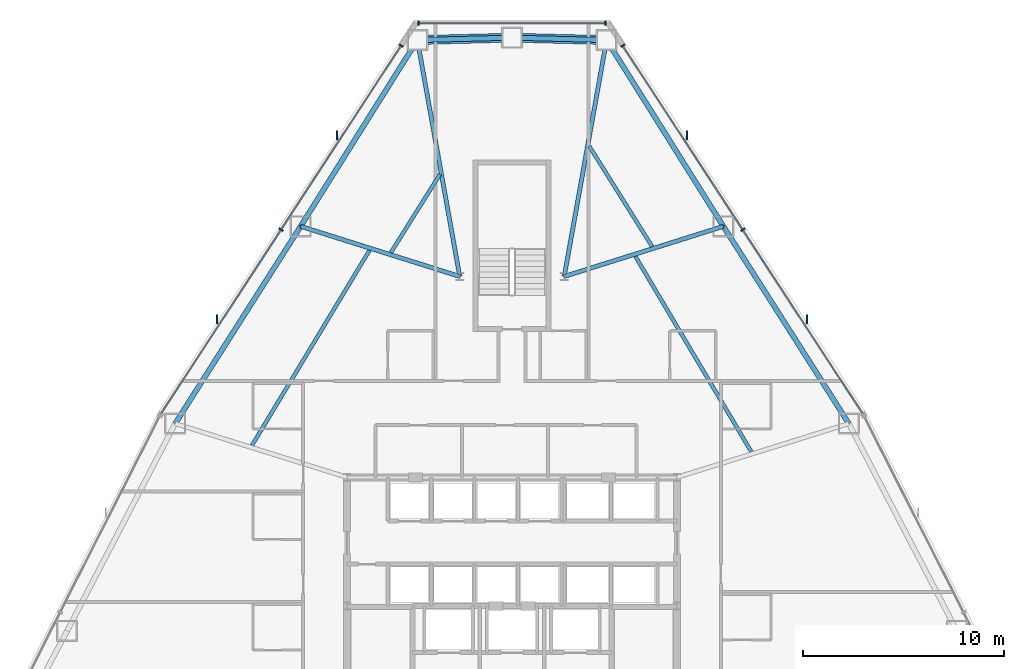
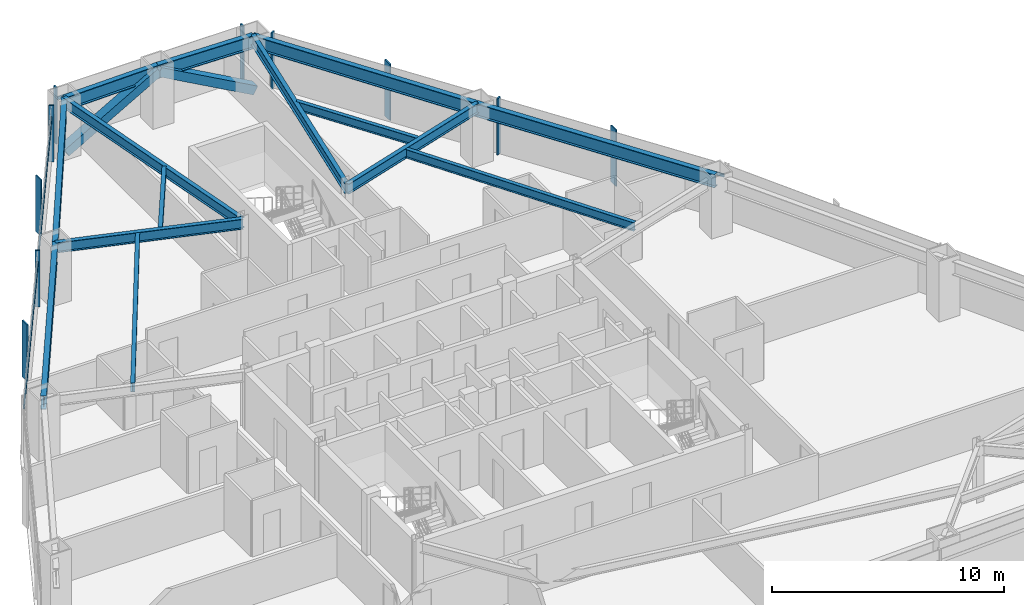
# One storey, part 7 of 12: 15 members, 14 beams, 3 elements without a shape of their own.
"""IFC4 building model written with IfcOpenShell, lengths in metres."""

from ifc_helpers import new_model, si_unit, direction, frame, origin, origin_2d, place, context, subcontext, project, spatial, rectangle, hollow_rectangle, i_section, extrude, source, transform, mapped, material, layer, layer_set, material_profile, profile_set, type_object, type_shapes, element, aggregate, save


model = new_model("IFC4")

# Units and contexts
model_context = context("Model", 3, precision=1e-05, world=origin(), true_north=direction((0.0, 1.0)))
body_context = subcontext(model_context, "Body", "Model", "MODEL_VIEW")
ifc_project = project(units=[si_unit("LENGTHUNIT", "METRE"), si_unit("AREAUNIT", "SQUARE_METRE"), si_unit("VOLUMEUNIT", "CUBIC_METRE"), si_unit("PLANEANGLEUNIT", "RADIAN"), si_unit("MASSUNIT", "GRAM", prefix="KILO")], contexts=[model_context])

# Site, building, storey
site_placement = place(None, origin())
site = spatial("IfcSite", under=ifc_project, at=site_placement, CompositionType="ELEMENT")
building_placement = place(site_placement, origin())
building = spatial("IfcBuilding", under=site, at=building_placement, Name="Varakhsha Concourse Tower", CompositionType="ELEMENT")
storey_placement = place(building_placement, frame((0.0, 0.0, 73.39990234375)))
storey = spatial("IfcBuildingStorey", under=building, at=storey_placement, Name="L20", CompositionType="ELEMENT", Elevation=73.39990234375)

# Beams
ifc_material_1 = material(Name="Structural Steel ASTM A992 Grade 50", Category="steel")
ifc_material_profile_1 = material_profile(ifc_material_1, i_section(OverallWidth=0.19091796875, OverallDepth=0.45703125, WebThickness=0.009033203125, FlangeThickness=0.013916015625, at=origin_2d()), Name="W18X50")
ifc_profile_set_1 = profile_set([ifc_material_profile_1], Name="Structural Steel ASTM A992 Grade 50")
beam_type_1 = type_object("IfcBeamType", Name="BM-JST-W18X50", PredefinedType="JOIST", material=ifc_profile_set_1)
beam_1_placement = place(storey_placement, frame((36.4140625, 46.28271484375, 2.74169921875), z_axis=(-0.531044651277, -0.847343837147, 0.0), x_axis=(0.847343837147, -0.531044651277, 0.0)))
element("IfcBeam", 1, at=beam_1_placement, inside=storey, type_object=beam_type_1, Name="BM-TJST-L20-03", PredefinedType="JOIST", context=body_context, shape_type="SweptSolid", body=[
    extrude(i_section(OverallWidth=0.19091796875, OverallDepth=0.45703125, WebThickness=0.009033203125, FlangeThickness=0.013916015625, at=origin_2d()), origin(), (0.0, 0.0, 1.0), 4.59423828125),
])
beam_2_placement = place(storey_placement, frame((32.908935546875, 42.501708984375, 2.74169921875), z_axis=(-0.515971307479, -0.856605866113, 0.0), x_axis=(0.856605866113, -0.515971307479, 0.0)))
element("IfcBeam", 2, at=beam_2_placement, inside=storey, type_object=beam_type_1, Name="BM-TJST-L20-04", PredefinedType="JOIST", context=body_context, shape_type="SweptSolid", body=[
    extrude(i_section(OverallWidth=0.19091796875, OverallDepth=0.45703125, WebThickness=0.009033203125, FlangeThickness=0.013916015625, at=origin_2d()), origin(), (0.0, 0.0, 1.0), 11.332763671875),
])
beam_3_placement = place(storey_placement, frame((51.91162109375, 32.472900390625, 2.74169921875), z_axis=(-0.510195148904, 0.860058666624, 0.0), x_axis=(-0.860058666624, -0.510195148904, 0.0)))
element("IfcBeam", 3, at=beam_3_placement, inside=storey, type_object=beam_type_1, Name="BM-TJST-L20-17", PredefinedType="JOIST", context=body_context, shape_type="SweptSolid", body=[
    extrude(i_section(OverallWidth=0.19091796875, OverallDepth=0.45703125, WebThickness=0.009033203125, FlangeThickness=0.013916015625, at=origin_2d()), origin(), (0.0, 0.0, 1.0), 11.312255859375),
])
beam_4_placement = place(storey_placement, frame((46.975830078125, 42.68896484375, 2.74169921875), z_axis=(-0.531027578504, 0.847354536701, 0.0), x_axis=(-0.847354536701, -0.531027578504, 0.0)))
element("IfcBeam", 4, at=beam_4_placement, inside=storey, type_object=beam_type_1, Name="BM-TJST-L20-18", PredefinedType="JOIST", context=body_context, shape_type="SweptSolid", body=[
    extrude(i_section(OverallWidth=0.19091796875, OverallDepth=0.45703125, WebThickness=0.009033203125, FlangeThickness=0.013916015625, at=origin_2d()), origin(), (0.0, 0.0, 1.0), 5.9072265625),
])
ifc_material_profile_2 = material_profile(ifc_material_1, i_section(OverallWidth=0.2109375, OverallDepth=0.5390625, WebThickness=0.011962890625, FlangeThickness=0.01904296875, at=origin_2d()), Name="W21X73")
ifc_profile_set_2 = profile_set([ifc_material_profile_2], Name="Structural Steel ASTM A992 Grade 50")
beam_type_2 = type_object("IfcBeamType", Name="BM-RAD-W21X73", PredefinedType="BEAM", material=ifc_profile_set_2)
for number, where, z_axis, x_axis, name in (
    (5, (42.60009765625, 41.199951171875, 2.70068359375), (0.176378864409, 0.9843223538, 0.0), (-0.9843223538, 0.176378864409, 0.0), "L20 Radial Floor Girder 01"),
    (6, (37.39990234375, 41.199951171875, 2.70068359375), (-0.176378864409, 0.9843223538, 0.0), (-0.9843223538, -0.176378864409, 0.0), "L20 Radial Floor Girder 03"),
):
    element("IfcBeam", number, at=place(storey_placement, frame(where, z_axis=z_axis, x_axis=x_axis)), inside=storey, type_object=beam_type_2, Name=name, PredefinedType="BEAM", context=body_context, shape_type="SweptSolid", body=[
        extrude(i_section(OverallWidth=0.2109375, OverallDepth=0.5390625, WebThickness=0.011962890625, FlangeThickness=0.01904296875, at=origin_2d()), origin(), (0.0, 0.0, 1.0), 11.950927734375),
    ])
for number, where, z_axis, x_axis, name in (
    (7, (37.39990234375, 41.199951171875, 2.70068359375), (-0.95386094986, 0.300248710792, 0.0), (-0.300248710792, -0.95386094986, 0.0), "L20 Radial Floor Girder 04"),
    (8, (42.60009765625, 41.199951171875, 2.70068359375), (0.95386094986, 0.300248710792, 0.0), (-0.300248710792, 0.95386094986, 0.0), "L20 Radial Floor Girder 18"),
):
    element("IfcBeam", number, at=place(storey_placement, frame(where, z_axis=z_axis, x_axis=x_axis)), inside=storey, type_object=beam_type_2, Name=name, PredefinedType="BEAM", context=body_context, shape_type="SweptSolid", body=[
        extrude(i_section(OverallWidth=0.2109375, OverallDepth=0.5390625, WebThickness=0.011962890625, FlangeThickness=0.01904296875, at=origin_2d()), origin(), (0.0, 0.0, 1.0), 8.30126953125),
    ])
ifc_material_profile_3 = material_profile(ifc_material_1, i_section(OverallWidth=0.25390625, OverallDepth=0.701904296875, WebThickness=0.014892578125, FlangeThickness=0.028076171875, at=origin_2d()), Name="W27X129")
ifc_profile_set_3 = profile_set([ifc_material_profile_3], Name="Structural Steel ASTM A992 Grade 50")
beam_type_3 = type_object("IfcBeamType", Name="BM-SPAN-W27X129", PredefinedType="SPANDREL", material=ifc_profile_set_3)
for number, where, z_axis, x_axis, name in (
    (9, (44.7080078125, 52.963623046875, 2.619140625), (-0.999681267751, 0.025246047365, 0.0), (-0.025246047365, -0.999681267751, 0.0), "BM-SPAN-L20-01"),
    (10, (40.0, 53.08251953125, 2.619140625), (-0.999681267751, -0.025246047365, 0.0), (0.025246047365, -0.999681267751, 0.0), "BM-SPAN-L20-02"),
):
    element("IfcBeam", number, at=place(storey_placement, frame(where, z_axis=z_axis, x_axis=x_axis)), inside=storey, type_object=beam_type_3, Name=name, PredefinedType="SPANDREL", context=body_context, shape_type="SweptSolid", body=[
        extrude(i_section(OverallWidth=0.25390625, OverallDepth=0.701904296875, WebThickness=0.014892578125, FlangeThickness=0.028076171875, at=origin_2d()), origin(), (0.0, 0.0, 1.0), 4.70947265625),
    ])
beam_5_placement = place(storey_placement, frame((35.2919921875, 52.963623046875, 2.619140625), z_axis=(-0.531035487891, -0.847349579926, 0.0), x_axis=(0.847349579926, -0.531035487891, 0.0)))
element("IfcBeam", 11, at=beam_5_placement, inside=storey, type_object=beam_type_3, Name="BM-SPAN-L20-03", PredefinedType="SPANDREL", context=body_context, shape_type="SweptSolid", body=[
    extrude(i_section(OverallWidth=0.25390625, OverallDepth=0.701904296875, WebThickness=0.014892578125, FlangeThickness=0.028076171875, at=origin_2d()), origin(), (0.0, 0.0, 1.0), 10.94140625),
])
for number, where, z_axis, x_axis, name in (
    (12, (29.481689453125, 43.6923828125, 2.619140625), (-0.536827959969, -0.84369173363, 0.0), (0.84369173363, -0.536827959969, 0.0), "BM-SPAN-L20-04"),
    (13, (56.762939453125, 33.878173828125, 2.619140625), (-0.536827959969, 0.84369173363, 0.0), (-0.84369173363, -0.536827959969, 0.0), "BM-SPAN-L20-17"),
):
    element("IfcBeam", number, at=place(storey_placement, frame(where, z_axis=z_axis, x_axis=x_axis)), inside=storey, type_object=beam_type_3, Name=name, PredefinedType="SPANDREL", context=body_context, shape_type="SweptSolid", body=[
        extrude(i_section(OverallWidth=0.25390625, OverallDepth=0.701904296875, WebThickness=0.014892578125, FlangeThickness=0.028076171875, at=origin_2d()), origin(), (0.0, 0.0, 1.0), 11.632568359375),
    ])
beam_6_placement = place(storey_placement, frame((50.518310546875, 43.6923828125, 2.619140625), z_axis=(-0.531035487891, 0.847349579926, 0.0), x_axis=(-0.847349579926, -0.531035487891, 0.0)))
element("IfcBeam", 14, at=beam_6_placement, inside=storey, type_object=beam_type_3, Name="BM-SPAN-L20-18", PredefinedType="SPANDREL", context=body_context, shape_type="SweptSolid", body=[
    extrude(i_section(OverallWidth=0.25390625, OverallDepth=0.701904296875, WebThickness=0.014892578125, FlangeThickness=0.028076171875, at=origin_2d()), origin(), (0.0, 0.0, 1.0), 10.94140625),
])

# Members
ifc_material_2 = material(Name="Structural Steel ASTM A500 Grade C", Category="steel")
ifc_material_profile_4 = material_profile(ifc_material_2, hollow_rectangle(XDim=0.449951171875, YDim=0.449951171875, WallThickness=0.01904296875, at=origin_2d()), Name="HSS 450x450x19")
ifc_profile_set_4 = profile_set([ifc_material_profile_4], Name="Structural Steel ASTM A500 Grade C")
member_type_1 = type_object("IfcMemberType", Name="MB-TUBE-HSS450", PredefinedType="BRACE", material=ifc_profile_set_4)
shared_shape_1 = source(origin(), body_context, "Body", "SweptSolid", [
    extrude(hollow_rectangle(XDim=0.449951171875, YDim=0.449951171875, WallThickness=0.01904296875, at=origin_2d()), origin(), (0.0, 0.0, 1.0), 5.35546875),
])
type_shapes(member_type_1, [shared_shape_1])
for number, where, z_axis, x_axis, name in (
    (15, (44.7080078125, 52.963623046875, 0.1201171875), (-0.879084800486, 0.022200492524, 0.476148140483), (-0.025246047365, -0.999681267751, 0.0), "L20 Wind-Corner Tube Brace B01"),
    (16, (35.2919921875, 52.963623046875, 0.1201171875), (0.879084800486, 0.022200492524, 0.476148140483), (-0.025246047365, 0.999681267751, 0.0), "L20 Wind-Corner Tube Brace B02"),
):
    element("IfcMember", number, at=place(storey_placement, frame(where, z_axis=z_axis, x_axis=x_axis)), inside=storey, type_object=member_type_1, Name=name, PredefinedType="BRACE", context=body_context, shape_type="MappedRepresentation", body=[
        mapped(shared_shape_1, transform((0.0, 0.0, 0.0), scale=1.0)),
    ])

# Curtain wall, members
ifc_material_3 = material(Name="Anodised Bronze Architectural Aluminium AA 6063-T6", Category="aluminium")
ifc_layer = layer(ifc_material_3, 0.199951171875, Name="CW-SYS-03")
ifc_layer_set = layer_set([ifc_layer], Name="Anodised Bronze Architectural Aluminium AA 6063-T6")
curtain_wall_type = type_object("IfcCurtainWallType", Name="CW-SYS-03", PredefinedType="NOTDEFINED", material=ifc_layer_set)
curtain_wall_1_placement = place(storey_placement, origin())
curtain_wall_1 = element("IfcCurtainWall", 17, at=curtain_wall_1_placement, inside=storey, type_object=curtain_wall_type, Name="L20 Chamfer Curtain Wall F1", PredefinedType="NOTDEFINED")
ifc_material_profile_5 = material_profile(ifc_material_3, rectangle(XDim=0.074951171875, YDim=0.219970703125, at=origin_2d()), Name="CWM-220X75")
ifc_profile_set_5 = profile_set([ifc_material_profile_5], Name="Anodised Bronze Architectural Aluminium AA 6063-T6")
member_type_2 = type_object("IfcMemberType", Name="CWM-220X75", PredefinedType="MULLION", material=ifc_profile_set_5)
shared_shape_2 = source(origin(), body_context, "Body", "SweptSolid", [
    extrude(rectangle(XDim=0.074951171875, YDim=0.219970703125, at=origin_2d()), origin(), (0.0, 0.0, 1.0), 2.97021484375),
])
type_shapes(member_type_2, [shared_shape_2])
member_1_placement = place(storey_placement, frame((35.348388671875, 53.802490234375, 0.0), z_axis=(0.0, 0.0, 1.0), x_axis=(1.0, 0.0, 0.0)))
member_1 = element("IfcMember", 18, at=member_1_placement, type_object=member_type_2, Name="CW-L20-F1 Mullion 00", PredefinedType="MULLION", context=body_context, shape_type="MappedRepresentation", body=[
    mapped(shared_shape_2, transform((0.0, 0.0, 0.0), scale=1.0)),
])
member_2_placement = place(storey_placement, frame((44.651611328125, 53.802490234375, 0.0), z_axis=(0.0, 0.0, 1.0), x_axis=(1.0, 0.0, 0.0)))
member_2 = element("IfcMember", 19, at=member_2_placement, type_object=member_type_2, Name="CW-L20-F1 Mullion 01", PredefinedType="MULLION", context=body_context, shape_type="MappedRepresentation", body=[
    mapped(shared_shape_2, transform((0.0, 0.0, 0.0), scale=1.0)),
])

curtain_wall_2_placement = place(storey_placement, origin())
curtain_wall_2 = element("IfcCurtainWall", 20, at=curtain_wall_2_placement, inside=storey, type_object=curtain_wall_type, Name="L20 Crystal Curtain Wall F2", PredefinedType="NOTDEFINED")
member_3_placement = place(storey_placement, frame((28.512451171875, 43.524658203125, 0.0), z_axis=(0.0, 0.0, 1.0), x_axis=(0.546249624122, 0.837622437705, 0.0)))
member_3 = element("IfcMember", 21, at=member_3_placement, type_object=member_type_2, Name="CW-L20-F2 Mullion 01", PredefinedType="MULLION", context=body_context, shape_type="MappedRepresentation", body=[
    mapped(shared_shape_2, transform((0.0, 0.0, 0.0), scale=1.0)),
])
member_4_placement = place(storey_placement, frame((34.48681640625, 52.685546875, 0.0), z_axis=(0.0, 0.0, 1.0), x_axis=(0.546249624122, 0.837622437705, 0.0)))
member_4 = element("IfcMember", 22, at=member_4_placement, type_object=member_type_2, Name="CW-L20-F2 Mullion 02", PredefinedType="MULLION", context=body_context, shape_type="MappedRepresentation", body=[
    mapped(shared_shape_2, transform((0.0, 0.0, 0.0), scale=1.0)),
])

curtain_wall_3_placement = place(storey_placement, origin())
curtain_wall_3 = element("IfcCurtainWall", 23, at=curtain_wall_3_placement, inside=storey, type_object=curtain_wall_type, Name="L20 Crystal Curtain Wall F9", PredefinedType="NOTDEFINED")
member_5_placement = place(storey_placement, frame((45.51318359375, 52.685546875, 0.0), z_axis=(0.0, 0.0, 1.0), x_axis=(0.546249624122, -0.837622437705, 0.0)))
member_5 = element("IfcMember", 24, at=member_5_placement, type_object=member_type_2, Name="CW-L20-F9 Mullion 00", PredefinedType="MULLION", context=body_context, shape_type="MappedRepresentation", body=[
    mapped(shared_shape_2, transform((0.0, 0.0, 0.0), scale=1.0)),
])
member_6_placement = place(storey_placement, frame((51.4873046875, 43.524658203125, 0.0), z_axis=(0.0, 0.0, 1.0), x_axis=(0.546249624122, -0.837622437705, 0.0)))
member_6 = element("IfcMember", 25, at=member_6_placement, type_object=member_type_2, Name="CW-L20-F9 Mullion 01", PredefinedType="MULLION", context=body_context, shape_type="MappedRepresentation", body=[
    mapped(shared_shape_2, transform((0.0, 0.0, 0.0), scale=1.0)),
])

# Member
ifc_material_profile_6 = material_profile(ifc_material_3, rectangle(XDim=0.06494140625, YDim=0.159912109375, at=origin_2d()), Name="CWT-160X65")
ifc_profile_set_6 = profile_set([ifc_material_profile_6], Name="Anodised Bronze Architectural Aluminium AA 6063-T6")
member_type_3 = type_object("IfcMemberType", Name="CWT-160X65", PredefinedType="USERDEFINED", material=ifc_profile_set_6)
shared_shape_3 = source(origin(), body_context, "Body", "SweptSolid", [
    extrude(rectangle(XDim=0.06494140625, YDim=0.159912109375, at=origin_2d()), origin(), (0.0, 0.0, 1.0), 9.30322265625),
])
member_7_placement = place(storey_placement, frame((35.348388671875, 53.802490234375, 2.320068359375), z_axis=(1.0, 0.0, 0.0), x_axis=(0.0, 1.0, 0.0)))
member_7 = element("IfcMember", 26, at=member_7_placement, type_object=member_type_3, Name="CW-L20-F1 Transom 01", ObjectType="TRANSOM", PredefinedType="USERDEFINED", context=body_context, shape_type="MappedRepresentation", body=[
    mapped(shared_shape_3, transform((0.0, 0.0, 0.0), scale=1.0)),
])

aggregate(curtain_wall_1, [member_1, member_2, member_7])

shared_shape_4 = source(origin(), body_context, "Body", "SweptSolid", [
    extrude(rectangle(XDim=0.06494140625, YDim=0.159912109375, at=origin_2d()), origin(), (0.0, 0.0, 1.0), 21.87353515625),
])
type_shapes(member_type_3, [shared_shape_3, shared_shape_4])
member_8_placement = place(storey_placement, frame((22.538330078125, 34.36376953125, 2.320068359375), z_axis=(0.546251778443, 0.837621032775, 0.0), x_axis=(-0.837621032775, 0.546251778443, 0.0)))
member_8 = element("IfcMember", 27, at=member_8_placement, type_object=member_type_3, Name="CW-L20-F2 Transom 01", ObjectType="TRANSOM", PredefinedType="USERDEFINED", context=body_context, shape_type="MappedRepresentation", body=[
    mapped(shared_shape_4, transform((0.0, 0.0, 0.0), scale=1.0)),
])

member_9_placement = place(storey_placement, frame((45.51318359375, 52.685546875, 2.320068359375), z_axis=(0.546251778443, -0.837621032775, 0.0), x_axis=(0.837621032775, 0.546251778443, 0.0)))
member_9 = element("IfcMember", 28, at=member_9_placement, type_object=member_type_3, Name="CW-L20-F9 Transom 01", ObjectType="TRANSOM", PredefinedType="USERDEFINED", context=body_context, shape_type="MappedRepresentation", body=[
    mapped(shared_shape_4, transform((0.0, 0.0, 0.0), scale=1.0)),
])

ifc_material_profile_7 = material_profile(ifc_material_3, rectangle(XDim=0.06494140625, YDim=0.449951171875, at=origin_2d()), Name="FIN-BRZ-450")
ifc_profile_set_7 = profile_set([ifc_material_profile_7], Name="Anodised Bronze Architectural Aluminium AA 6063-T6")
member_type_4 = type_object("IfcMemberType", Name="FIN-BRZ-450", PredefinedType="USERDEFINED", material=ifc_profile_set_7)
shared_shape_5 = source(origin(), body_context, "Body", "SweptSolid", [
    extrude(rectangle(XDim=0.06494140625, YDim=0.449951171875, at=origin_2d()), origin(), (0.0, 0.0, 1.0), 2.97021484375),
])
type_shapes(member_type_4, [shared_shape_5])
member_10_placement = place(storey_placement, frame((25.324462890625, 39.0751953125, 0.0), z_axis=(0.0, 0.0, 1.0), x_axis=(1.0, 0.0, 0.0)))
member_10 = element("IfcMember", 29, at=member_10_placement, type_object=member_type_4, Name="L20 Anodised Bronze Solar Fin F2-1", ObjectType="SOLAR FIN", PredefinedType="USERDEFINED", context=body_context, shape_type="MappedRepresentation", body=[
    mapped(shared_shape_5, transform((0.0, 0.0, 0.0), scale=1.0)),
])

member_11_placement = place(storey_placement, frame((31.298583984375, 48.236083984375, 0.0), z_axis=(0.0, 0.0, 1.0), x_axis=(1.0, 0.0, 0.0)))
member_11 = element("IfcMember", 30, at=member_11_placement, type_object=member_type_4, Name="L20 Anodised Bronze Solar Fin F2-2", ObjectType="SOLAR FIN", PredefinedType="USERDEFINED", context=body_context, shape_type="MappedRepresentation", body=[
    mapped(shared_shape_5, transform((0.0, 0.0, 0.0), scale=1.0)),
])

aggregate(curtain_wall_2, [member_3, member_4, member_8, member_10, member_11])

member_12_placement = place(storey_placement, frame((48.701416015625, 48.236083984375, 0.0), z_axis=(0.0, 0.0, 1.0), x_axis=(1.0, 0.0, 0.0)))
member_12 = element("IfcMember", 31, at=member_12_placement, type_object=member_type_4, Name="L20 Anodised Bronze Solar Fin F9-1", ObjectType="SOLAR FIN", PredefinedType="USERDEFINED", context=body_context, shape_type="MappedRepresentation", body=[
    mapped(shared_shape_5, transform((0.0, 0.0, 0.0), scale=1.0)),
])

member_13_placement = place(storey_placement, frame((54.675537109375, 39.0751953125, 0.0), z_axis=(0.0, 0.0, 1.0), x_axis=(1.0, 0.0, 0.0)))
member_13 = element("IfcMember", 32, at=member_13_placement, type_object=member_type_4, Name="L20 Anodised Bronze Solar Fin F9-2", ObjectType="SOLAR FIN", PredefinedType="USERDEFINED", context=body_context, shape_type="MappedRepresentation", body=[
    mapped(shared_shape_5, transform((0.0, 0.0, 0.0), scale=1.0)),
])

aggregate(curtain_wall_3, [member_5, member_6, member_9, member_12, member_13])

save(model, "model.ifc")
